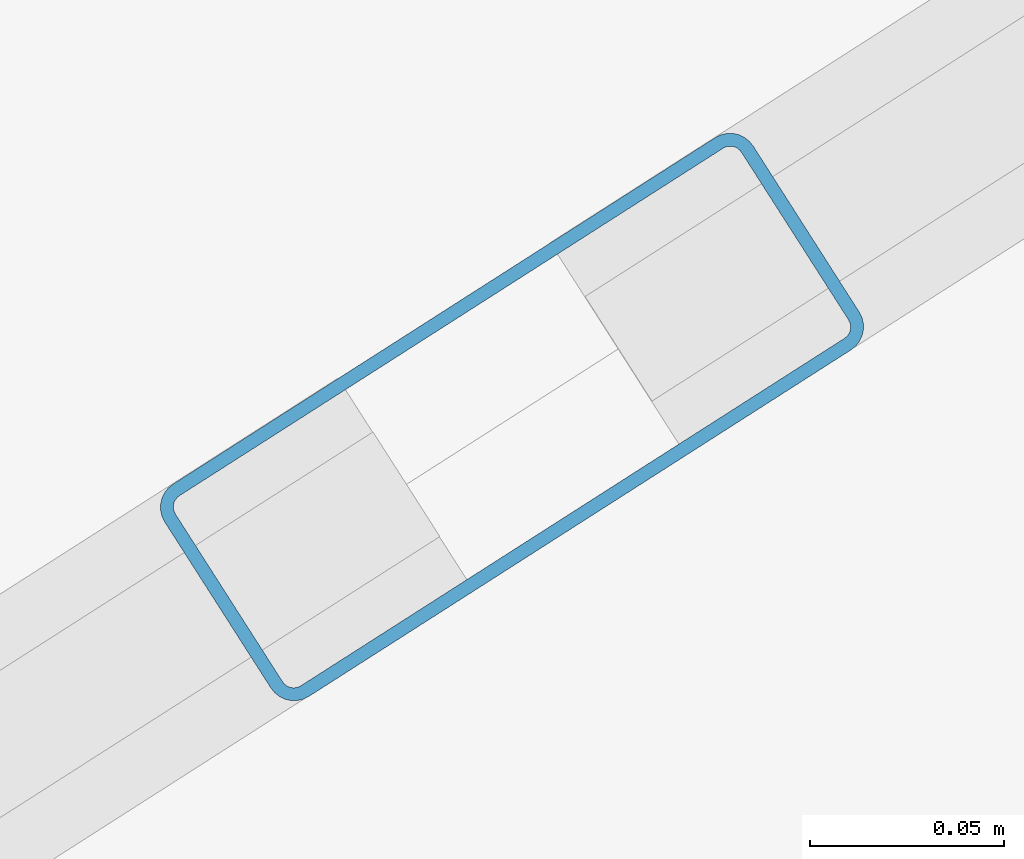
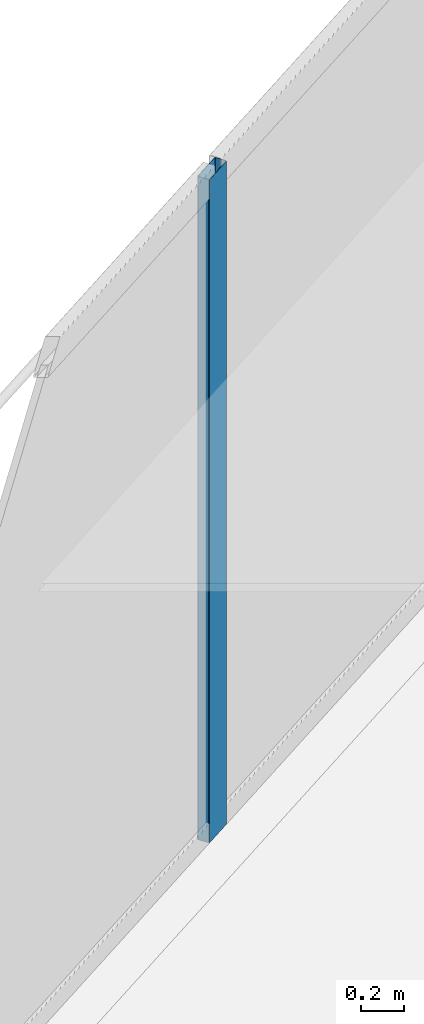
# One storey, part 16 of 40: 1 member, 1 element without a shape of its own.
"""IFC4 building model written with IfcOpenShell, lengths in metres."""

from ifc_helpers import new_model, si_unit, direction, frame, origin, origin_2d, place, context, subcontext, project, spatial, hollow_rectangle, extrude, material, layer, layer_set, material_profile, profile_set, type_object, element, aggregate, save


model = new_model("IFC4")

# Units and contexts
model_context = context("Model", 3, precision=1e-05, world=origin(), true_north=direction((0.0, 1.0)))
body_context = subcontext(model_context, "Body", "Model", "MODEL_VIEW")
ifc_project = project(units=[si_unit("LENGTHUNIT", "METRE"), si_unit("AREAUNIT", "SQUARE_METRE"), si_unit("VOLUMEUNIT", "CUBIC_METRE"), si_unit("PLANEANGLEUNIT", "RADIAN"), si_unit("MASSUNIT", "GRAM", prefix="KILO")], contexts=[model_context])

# Site, building, storey
site_placement = place(None, origin())
site = spatial("IfcSite", under=ifc_project, at=site_placement, CompositionType="ELEMENT")
building_placement = place(site_placement, origin())
building = spatial("IfcBuilding", under=site, at=building_placement, Name="Qorvath Tower", CompositionType="ELEMENT")
storey_placement = place(building_placement, frame((0.0, 0.0, 138.14990234375)))
storey = spatial("IfcBuildingStorey", under=building, at=storey_placement, Name="L31", CompositionType="ELEMENT", Elevation=138.14990234375)

# Curtain wall, member
ifc_material_1 = material(Name="Anodised aluminium and triple low-E glass", Category="aluminium")
ifc_layer = layer(ifc_material_1, 0.179931640625)
ifc_layer_set = layer_set([ifc_layer], Name="CW-SYS-3")
curtain_wall_type = type_object("IfcCurtainWallType", Name="CW-SYS-3", PredefinedType="NOTDEFINED", material=ifc_layer_set)
curtain_wall_placement = place(storey_placement, origin())
curtain_wall = element("IfcCurtainWall", 1, at=curtain_wall_placement, inside=storey, type_object=curtain_wall_type, Name="Curtain Wall CW-3 CW-T-L31-16.1", PredefinedType="NOTDEFINED")
ifc_material_2 = material(Name="Anodised aluminium 6063-T6", Category="aluminium")
ifc_material_profile = material_profile(ifc_material_2, hollow_rectangle(XDim=0.06494140625, YDim=0.179931640625, WallThickness=0.00341796875, InnerFilletRadius=0.00341796875, OuterFilletRadius=0.007080078125, at=origin_2d()), Name="CWM 180x65")
ifc_profile_set = profile_set([ifc_material_profile], Name="Anodised aluminium 6063-T6")
member_type = type_object("IfcMemberType", Name="CWM-180", PredefinedType="MULLION", material=ifc_profile_set)
member_placement = place(storey_placement, frame((-38.90625, 15.523193359375, 0.0), z_axis=(0.0, 0.0, 1.0), x_axis=(0.538534399095, -0.842603525385, 0.0)))
member = element("IfcMember", 2, at=member_placement, type_object=member_type, Name="CW-3 mullion 6", PredefinedType="MULLION", context=body_context, shape_type="SweptSolid", body=[
    extrude(hollow_rectangle(XDim=0.06494140625, YDim=0.179931640625, WallThickness=0.00341796875, InnerFilletRadius=0.00341796875, OuterFilletRadius=0.007080078125, at=origin_2d()), origin(), (0.0, 0.0, 1.0), 3.780029296875),
])
aggregate(curtain_wall, [member])

save(model, "model.ifc")
